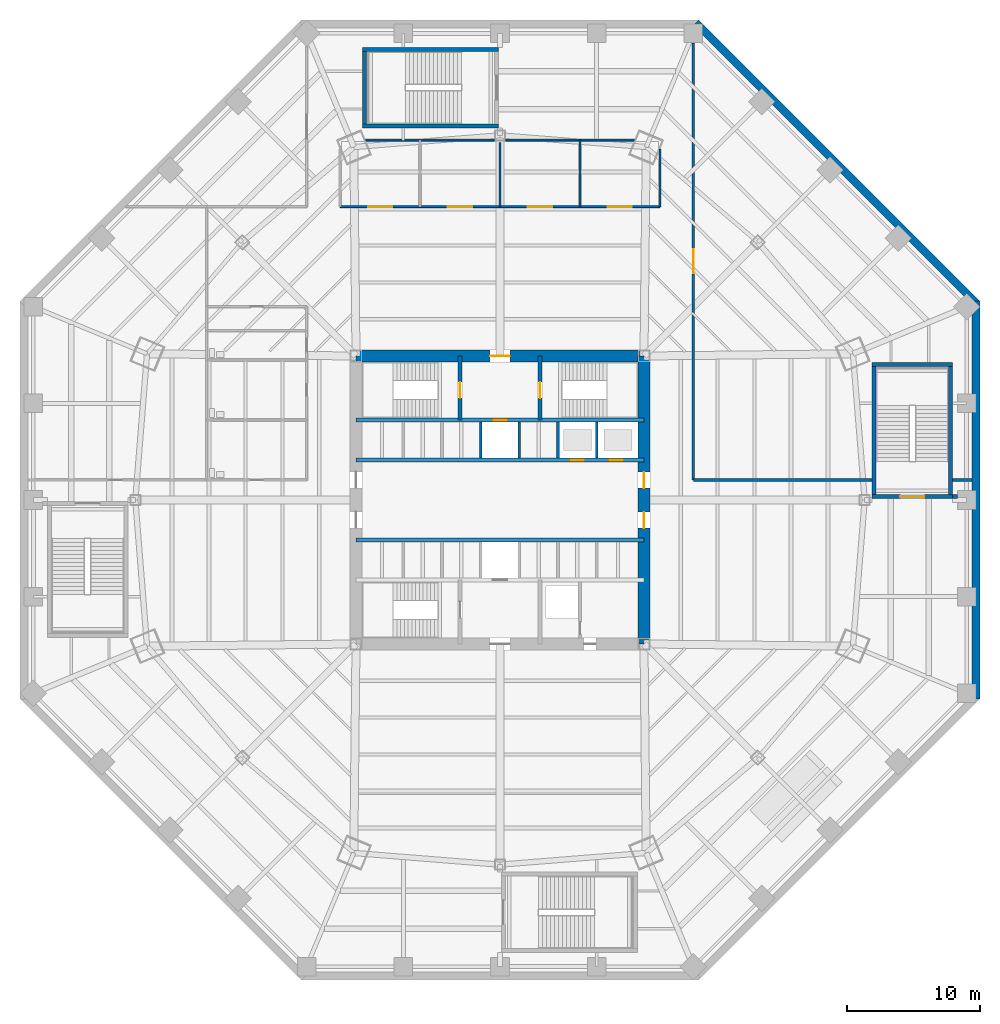
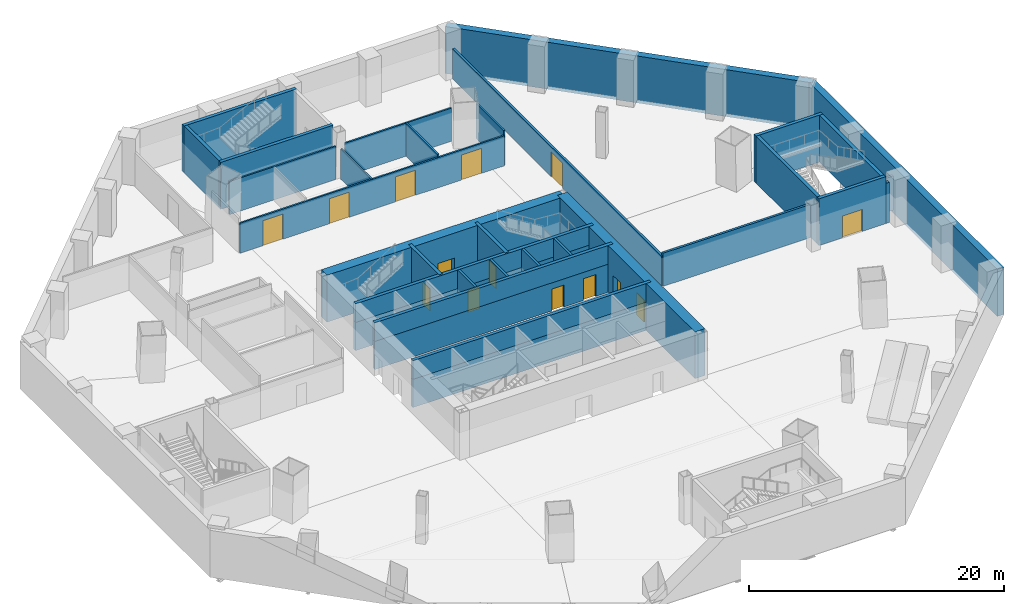
# One storey, part 9 of 15: 33 walls, 14 doors, 14 openings.
"""IFC4 building model written with IfcOpenShell, lengths in metres."""

from ifc_helpers import new_model, si_unit, direction, frame, frame_2d, origin, place, context, subcontext, project, spatial, rectangle, extrude, material, layer, layer_set, type_object, element, fill, save


model = new_model("IFC4")

# Units and contexts
model_context = context("Model", 3, precision=1e-05, world=origin(), true_north=direction((0.0, 1.0)))
body_context = subcontext(model_context, "Body", "Model", "MODEL_VIEW")
ifc_project = project(units=[si_unit("LENGTHUNIT", "METRE"), si_unit("AREAUNIT", "SQUARE_METRE"), si_unit("VOLUMEUNIT", "CUBIC_METRE"), si_unit("PLANEANGLEUNIT", "RADIAN"), si_unit("MASSUNIT", "GRAM", prefix="KILO")], contexts=[model_context])

# Site, building, storey
site_placement = place(None, origin())
site = spatial("IfcSite", under=ifc_project, at=site_placement, CompositionType="ELEMENT")
building_placement = place(site_placement, origin())
building = spatial("IfcBuilding", under=site, at=building_placement, Name="Mashrafa Tower", CompositionType="ELEMENT")
storey_placement = place(building_placement, frame((0.0, 0.0, -4.5)))
storey = spatial("IfcBuildingStorey", under=building, at=storey_placement, Name="B1", CompositionType="ELEMENT", Elevation=-4.5)

# Walls
ifc_material_1 = material(Name="Concrete C40/50", Category="concrete")
ifc_layer_1 = layer(ifc_material_1, 0.60009765625)
ifc_layer_set_1 = layer_set([ifc_layer_1], Name="Basement retaining wall 600")
wall_type_1 = type_object("IfcWallType", Name="Basement retaining wall 600", PredefinedType="SOLIDWALL", material=ifc_layer_set_1)
wall_1_placement = place(storey_placement, frame((35.699951171875, -14.91162109375, -0.300048828125), z_axis=(0.0, 0.0, 1.0), x_axis=(0.0, 1.0, 0.0)))
element("IfcWall", 1, at=wall_1_placement, inside=storey, type_object=wall_type_1, Name="Basement retaining wall B1 east", PredefinedType="SOLIDWALL", context=body_context, shape_type="SweptSolid", body=[
    extrude(rectangle(XDim=29.8232421875, YDim=0.60009765625, at=frame_2d((14.91162109375, 0.0))), origin(), (0.0, 0.0, 1.0), 4.5),
])
wall_2_placement = place(storey_placement, frame((35.787841796875, 14.699462890625, -0.300048828125), z_axis=(0.0, 0.0, 1.0), x_axis=(-0.707106781187, 0.707106781187, 0.0)))
element("IfcWall", 2, at=wall_2_placement, inside=storey, type_object=wall_type_1, Name="Basement retaining wall B1 north-east", PredefinedType="SOLIDWALL", context=body_context, shape_type="SweptSolid", body=[
    extrude(rectangle(XDim=29.823486328125, YDim=0.60009765625, at=frame_2d((14.91162109375, 0.0))), origin(), (0.0, 0.0, 1.0), 4.5),
])

# Wall, opening, door
ifc_material_2 = material(Name="Concrete masonry unit", Category="masonry")
ifc_layer_2 = layer(ifc_material_2, 0.199951171875)
ifc_layer_set_2 = layer_set([ifc_layer_2], Name="Blockwork wall 200 2 hr")
wall_type_2 = type_object("IfcWallType", Name="Blockwork wall 200 2 hr", PredefinedType="PARTITIONING", material=ifc_layer_set_2)
wall_3_placement = place(storey_placement, frame((14.5, 34.281005859375, 0.0), z_axis=(0.0, 0.0, 1.0), x_axis=(0.0, -1.0, 0.0)))
wall_3 = element("IfcWall", 3, at=wall_3_placement, inside=storey, type_object=wall_type_2, Name="Blockwork wall B1-014", PredefinedType="PARTITIONING", context=body_context, shape_type="SweptSolid", body=[
    extrude(rectangle(XDim=32.781005859375, YDim=0.199951171875, at=frame_2d((16.390625, 0.0))), origin(), (0.0, 0.0, 1.0), 2.889892578125),
])
opening_1_placement = place(wall_3_placement, frame((15.490478515625, 0.0, 0.0)))
opening_1 = element("IfcOpeningElement", 4, at=opening_1_placement, cuts=wall_3, Name="Opening B1.005", PredefinedType="OPENING", context=body_context, shape_type="SweptSolid", body=[
    extrude(rectangle(XDim=1.800048828125, YDim=2.39990234375, at=frame_2d((0.89990234375, 1.199951171875))), frame((0.0, 0.10986328125, 0.0), z_axis=(0.0, -1.0, 0.0), x_axis=(1.0, 0.0, 0.0)), (0.0, 0.0, 1.0), 0.219970703125),
])
ifc_material_3 = material(Name="Steel door", Category="steel")
door_type_1 = type_object("IfcDoorType", Name="Door pair 1800 x 2400 90 min", OperationType="DOUBLE_DOOR_SINGLE_SWING", PredefinedType="DOOR", material=ifc_material_3)
door_1_placement = place(opening_1_placement, frame((1.800048828125, 0.0, 0.0), z_axis=(0.0, 0.0, 1.0), x_axis=(-1.0, 0.0, 0.0)))
door_1 = element("IfcDoor", 5, at=door_1_placement, inside=storey, type_object=door_type_1, Name="Concourse Plant Room B1 door", OperationType="DOUBLE_DOOR_SINGLE_SWING", OverallHeight=2.39990234375, OverallWidth=1.800048828125, PredefinedType="DOOR", context=body_context, shape_type="SweptSolid", body=[
    extrude(rectangle(XDim=1.800048828125, YDim=2.39990234375, at=frame_2d((0.89990234375, 1.199951171875))), frame((0.0, 0.02490234375, 0.0), z_axis=(0.0, -1.0, 0.0), x_axis=(1.0, 0.0, 0.0)), (0.0, 0.0, 1.0), 0.050048828125),
])
fill(opening_1, door_1)

# Walls
wall_4_placement = place(storey_placement, frame((14.5, 1.5, 0.0), z_axis=(0.0, 0.0, 1.0), x_axis=(1.0, 0.0, 0.0)))
element("IfcWall", 6, at=wall_4_placement, inside=storey, type_object=wall_type_2, Name="Blockwork wall B1-015", PredefinedType="PARTITIONING", context=body_context, shape_type="SweptSolid", body=[
    extrude(rectangle(XDim=13.400390625, YDim=0.199951171875, at=frame_2d((6.7001953125, 0.0))), origin(), (0.0, 0.0, 1.0), 3.17919921875),
])
wall_5_placement = place(storey_placement, frame((33.949462890625, 1.5, 0.0), z_axis=(0.0, 0.0, 1.0), x_axis=(1.0, 0.0, 0.0)))
element("IfcWall", 7, at=wall_5_placement, inside=storey, type_object=wall_type_2, Name="Blockwork wall B1-016", PredefinedType="PARTITIONING", context=body_context, shape_type="SweptSolid", body=[
    extrude(rectangle(XDim=1.445556640625, YDim=0.199951171875, at=frame_2d((0.72265625, 0.0))), origin(), (0.0, 0.0, 1.0), 3.278076171875),
])

# Wall, openings, doors
ifc_material_4 = material(Name="Concrete C60/75", Category="concrete")
ifc_layer_3 = layer(ifc_material_4, 0.300048828125)
ifc_layer_set_3 = layer_set([ifc_layer_3], Name="Core wall 300 C60/75")
wall_type_3 = type_object("IfcWallType", Name="Core wall 300 C60/75", PredefinedType="SOLIDWALL", material=ifc_layer_set_3)
wall_6_placement = place(storey_placement, frame((-10.800048828125, 3.0, 0.0), z_axis=(0.0, 0.0, 1.0), x_axis=(1.0, 0.0, 0.0)))
wall_6 = element("IfcWall", 8, at=wall_6_placement, inside=storey, type_object=wall_type_3, Name="Core wall CH-N B1", PredefinedType="SOLIDWALL", context=body_context, shape_type="SweptSolid", body=[
    extrude(rectangle(XDim=21.60009765625, YDim=0.300048828125, at=frame_2d((10.800048828125, 0.0))), origin(), (0.0, 0.0, 1.0), 2.699951171875),
])
opening_2_placement = place(wall_6_placement, frame((16.050048828125, 0.0, 0.0)))
opening_2 = element("IfcOpeningElement", 9, at=opening_2_placement, cuts=wall_6, Name="Opening B1.K1", PredefinedType="OPENING", context=body_context, shape_type="SweptSolid", body=[
    extrude(rectangle(XDim=1.10009765625, YDim=2.10009765625, at=frame_2d((0.550048828125, 1.050048828125))), frame((0.0, 0.159912109375, 0.0), z_axis=(0.0, -1.0, 0.0), x_axis=(1.0, 0.0, 0.0)), (0.0, 0.0, 1.0), 0.320068359375),
])
opening_3_placement = place(wall_6_placement, frame((18.949951171875, 0.0, 0.0)))
opening_3 = element("IfcOpeningElement", 10, at=opening_3_placement, cuts=wall_6, Name="Opening B1.K2", PredefinedType="OPENING", context=body_context, shape_type="SweptSolid", body=[
    extrude(rectangle(XDim=1.10009765625, YDim=2.10009765625, at=frame_2d((0.550048828125, 1.050048828125))), frame((0.0, 0.159912109375, 0.0), z_axis=(0.0, -1.0, 0.0), x_axis=(1.0, 0.0, 0.0)), (0.0, 0.0, 1.0), 0.320068359375),
])
ifc_material_5 = material(Name="Steel door", Category="steel")
door_type_2 = type_object("IfcDoorType", Name="Lift landing door 1100 x 2100 90 min", OperationType="DOUBLE_DOOR_SLIDING", PredefinedType="DOOR", material=ifc_material_5)
door_2_placement = place(opening_2_placement, origin())
door_2 = element("IfcDoor", 11, at=door_2_placement, inside=storey, type_object=door_type_2, Name="Lift landing door K1 B1", OperationType="DOUBLE_DOOR_SLIDING", OverallHeight=2.10009765625, OverallWidth=1.10009765625, PredefinedType="DOOR", context=body_context, shape_type="SweptSolid", body=[
    extrude(rectangle(XDim=1.10009765625, YDim=2.10009765625, at=frame_2d((0.550048828125, 1.050048828125))), frame((0.0, 0.02490234375, 0.0), z_axis=(0.0, -1.0, 0.0), x_axis=(1.0, 0.0, 0.0)), (0.0, 0.0, 1.0), 0.050048828125),
])
fill(opening_2, door_2)
door_3_placement = place(opening_3_placement, origin())
door_3 = element("IfcDoor", 12, at=door_3_placement, inside=storey, type_object=door_type_2, Name="Lift landing door K2 B1", OperationType="DOUBLE_DOOR_SLIDING", OverallHeight=2.10009765625, OverallWidth=1.10009765625, PredefinedType="DOOR", context=body_context, shape_type="SweptSolid", body=[
    extrude(rectangle(XDim=1.10009765625, YDim=2.10009765625, at=frame_2d((0.550048828125, 1.050048828125))), frame((0.0, 0.02490234375, 0.0), z_axis=(0.0, -1.0, 0.0), x_axis=(1.0, 0.0, 0.0)), (0.0, 0.0, 1.0), 0.050048828125),
])
fill(opening_3, door_3)

# Wall
wall_7_placement = place(storey_placement, frame((-10.800048828125, 3.0, 2.699951171875), z_axis=(0.0, 0.0, 1.0), x_axis=(1.0, 0.0, 0.0)))
element("IfcWall", 13, at=wall_7_placement, inside=storey, type_object=wall_type_3, Name="Core wall CH-N B1 above pit floor", PredefinedType="SOLIDWALL", context=body_context, shape_type="SweptSolid", body=[
    extrude(rectangle(XDim=21.60009765625, YDim=0.300048828125, at=frame_2d((10.800048828125, 0.0))), origin(), (0.0, 0.0, 1.0), 1.800048828125),
])

# Wall, opening, door
wall_8_placement = place(storey_placement, frame((-10.800048828125, 6.0, 0.0), z_axis=(0.0, 0.0, 1.0), x_axis=(1.0, 0.0, 0.0)))
wall_8 = element("IfcWall", 14, at=wall_8_placement, inside=storey, type_object=wall_type_3, Name="Core wall CB-N B1", PredefinedType="SOLIDWALL", context=body_context, shape_type="SweptSolid", body=[
    extrude(rectangle(XDim=21.60009765625, YDim=0.300048828125, at=frame_2d((10.800048828125, 0.0))), origin(), (0.0, 0.0, 1.0), 2.699951171875),
])
opening_4_placement = place(wall_8_placement, frame((10.25, 0.0, 0.0)))
opening_4 = element("IfcOpeningElement", 15, at=opening_4_placement, cuts=wall_8, Name="Opening B1.F1", PredefinedType="OPENING", context=body_context, shape_type="SweptSolid", body=[
    extrude(rectangle(XDim=1.10009765625, YDim=2.10009765625, at=frame_2d((0.550048828125, 1.050048828125))), frame((0.0, 0.159912109375, 0.0), z_axis=(0.0, -1.0, 0.0), x_axis=(1.0, 0.0, 0.0)), (0.0, 0.0, 1.0), 0.320068359375),
])
door_4_placement = place(opening_4_placement, origin())
door_4 = element("IfcDoor", 16, at=door_4_placement, inside=storey, type_object=door_type_2, Name="Lift landing door F1 B1", OperationType="DOUBLE_DOOR_SLIDING", OverallHeight=2.10009765625, OverallWidth=1.10009765625, PredefinedType="DOOR", context=body_context, shape_type="SweptSolid", body=[
    extrude(rectangle(XDim=1.10009765625, YDim=2.10009765625, at=frame_2d((0.550048828125, 1.050048828125))), frame((0.0, 0.02490234375, 0.0), z_axis=(0.0, -1.0, 0.0), x_axis=(1.0, 0.0, 0.0)), (0.0, 0.0, 1.0), 0.050048828125),
])
fill(opening_4, door_4)

# Wall
wall_9_placement = place(storey_placement, frame((-10.800048828125, 6.0, 2.699951171875), z_axis=(0.0, 0.0, 1.0), x_axis=(1.0, 0.0, 0.0)))
element("IfcWall", 17, at=wall_9_placement, inside=storey, type_object=wall_type_3, Name="Core wall CB-N B1 above pit floor", PredefinedType="SOLIDWALL", context=body_context, shape_type="SweptSolid", body=[
    extrude(rectangle(XDim=21.60009765625, YDim=0.300048828125, at=frame_2d((10.800048828125, 0.0))), origin(), (0.0, 0.0, 1.0), 1.800048828125),
])

# Wall, opening, door
wall_10_placement = place(storey_placement, frame((-3.0, 6.0, 0.0), z_axis=(0.0, 0.0, 1.0), x_axis=(0.0, 1.0, 0.0)))
wall_10 = element("IfcWall", 18, at=wall_10_placement, inside=storey, type_object=wall_type_3, Name="Core wall CX-NW B1", PredefinedType="SOLIDWALL", context=body_context, shape_type="SweptSolid", body=[
    extrude(rectangle(XDim=4.800048828125, YDim=0.300048828125, at=frame_2d((2.39990234375, 0.0))), origin(), (0.0, 0.0, 1.0), 4.5),
])
opening_5_placement = place(wall_10_placement, frame((1.64990234375, 0.0, 0.0)))
opening_5 = element("IfcOpeningElement", 19, at=opening_5_placement, cuts=wall_10, Name="Opening B1.018", PredefinedType="OPENING", context=body_context, shape_type="SweptSolid", body=[
    extrude(rectangle(XDim=1.199951171875, YDim=2.10009765625, at=frame_2d((0.60009765625, 1.050048828125))), frame((0.0, 0.159912109375, 0.0), z_axis=(0.0, -1.0, 0.0), x_axis=(1.0, 0.0, 0.0)), (0.0, 0.0, 1.0), 0.320068359375),
])
ifc_material_6 = material(Name="Steel door", Category="steel")
door_type_3 = type_object("IfcDoorType", Name="Stair door 1200 x 2100 90 min", OperationType="USERDEFINED", PredefinedType="DOOR", material=ifc_material_6)
door_5_placement = place(opening_5_placement, origin())
door_5 = element("IfcDoor", 20, at=door_5_placement, inside=storey, type_object=door_type_3, Name="Stair S1 door B1", OperationType="SINGLE_SWING_LEFT", OverallHeight=2.10009765625, OverallWidth=1.199951171875, PredefinedType="DOOR", context=body_context, shape_type="SweptSolid", body=[
    extrude(rectangle(XDim=1.199951171875, YDim=2.10009765625, at=frame_2d((0.60009765625, 1.050048828125))), frame((0.0, 0.02490234375, 0.0), z_axis=(0.0, -1.0, 0.0), x_axis=(1.0, 0.0, 0.0)), (0.0, 0.0, 1.0), 0.050048828125),
])
fill(opening_5, door_5)

wall_11_placement = place(storey_placement, frame((3.0, 6.0, 0.0), z_axis=(0.0, 0.0, 1.0), x_axis=(0.0, 1.0, 0.0)))
wall_11 = element("IfcWall", 21, at=wall_11_placement, inside=storey, type_object=wall_type_3, Name="Core wall CX-NE B1", PredefinedType="SOLIDWALL", context=body_context, shape_type="SweptSolid", body=[
    extrude(rectangle(XDim=4.800048828125, YDim=0.300048828125, at=frame_2d((2.39990234375, 0.0))), origin(), (0.0, 0.0, 1.0), 4.5),
])
opening_6_placement = place(wall_11_placement, frame((1.64990234375, 0.0, 0.0)))
opening_6 = element("IfcOpeningElement", 22, at=opening_6_placement, cuts=wall_11, Name="Opening B1.019", PredefinedType="OPENING", context=body_context, shape_type="SweptSolid", body=[
    extrude(rectangle(XDim=1.199951171875, YDim=2.10009765625, at=frame_2d((0.60009765625, 1.050048828125))), frame((0.0, 0.159912109375, 0.0), z_axis=(0.0, -1.0, 0.0), x_axis=(1.0, 0.0, 0.0)), (0.0, 0.0, 1.0), 0.320068359375),
])
door_6_placement = place(opening_6_placement, frame((1.199951171875, 0.0, 0.0), z_axis=(0.0, 0.0, 1.0), x_axis=(-1.0, 0.0, 0.0)))
door_6 = element("IfcDoor", 23, at=door_6_placement, inside=storey, type_object=door_type_3, Name="Stair S2 door B1", OperationType="SINGLE_SWING_RIGHT", OverallHeight=2.10009765625, OverallWidth=1.199951171875, PredefinedType="DOOR", context=body_context, shape_type="SweptSolid", body=[
    extrude(rectangle(XDim=1.199951171875, YDim=2.10009765625, at=frame_2d((0.60009765625, 1.050048828125))), frame((0.0, 0.02490234375, 0.0), z_axis=(0.0, -1.0, 0.0), x_axis=(1.0, 0.0, 0.0)), (0.0, 0.0, 1.0), 0.050048828125),
])
fill(opening_6, door_6)

# Walls
wall_12_placement = place(storey_placement, frame((-10.800048828125, -3.0, 0.0), z_axis=(0.0, 0.0, 1.0), x_axis=(1.0, 0.0, 0.0)))
element("IfcWall", 24, at=wall_12_placement, inside=storey, type_object=wall_type_3, Name="Core wall CH-S B1", PredefinedType="SOLIDWALL", context=body_context, shape_type="SweptSolid", body=[
    extrude(rectangle(XDim=21.60009765625, YDim=0.300048828125, at=frame_2d((10.800048828125, 0.0))), origin(), (0.0, 0.0, 1.0), 2.699951171875),
])
wall_13_placement = place(storey_placement, frame((-10.800048828125, -3.0, 2.699951171875), z_axis=(0.0, 0.0, 1.0), x_axis=(1.0, 0.0, 0.0)))
element("IfcWall", 25, at=wall_13_placement, inside=storey, type_object=wall_type_3, Name="Core wall CH-S B1 above pit floor", PredefinedType="SOLIDWALL", context=body_context, shape_type="SweptSolid", body=[
    extrude(rectangle(XDim=21.60009765625, YDim=0.300048828125, at=frame_2d((10.800048828125, 0.0))), origin(), (0.0, 0.0, 1.0), 1.800048828125),
])

# Wall, openings, doors
ifc_material_7 = material(Name="Concrete C60/75", Category="concrete")
ifc_layer_4 = layer(ifc_material_7, 0.89990234375)
ifc_layer_set_4 = layer_set([ifc_layer_4], Name="Core wall 900 C60/75")
wall_type_4 = type_object("IfcWallType", Name="Core wall 900 C60/75", PredefinedType="SOLIDWALL", material=ifc_layer_set_4)
wall_14_placement = place(storey_placement, frame((10.800048828125, -10.800048828125, 0.0), z_axis=(0.0, 0.0, 1.0), x_axis=(0.0, 1.0, 0.0)))
wall_14 = element("IfcWall", 26, at=wall_14_placement, inside=storey, type_object=wall_type_4, Name="Core wall CW-E B1", PredefinedType="SOLIDWALL", context=body_context, shape_type="SweptSolid", body=[
    extrude(rectangle(XDim=21.60009765625, YDim=0.89990234375, at=frame_2d((10.800048828125, 0.0))), origin(), (0.0, 0.0, 1.0), 4.5),
])
opening_7_placement = place(wall_14_placement, frame((11.699951171875, 0.0, 0.0)))
opening_7 = element("IfcOpeningElement", 27, at=opening_7_placement, cuts=wall_14, Name="Opening B1.012", PredefinedType="OPENING", context=body_context, shape_type="SweptSolid", body=[
    extrude(rectangle(XDim=1.199951171875, YDim=2.10009765625, at=frame_2d((0.60009765625, 1.050048828125))), frame((0.0, 0.4599609375, 0.0), z_axis=(0.0, -1.0, 0.0), x_axis=(1.0, 0.0, 0.0)), (0.0, 0.0, 1.0), 0.919921875),
])
opening_8_placement = place(wall_14_placement, frame((8.699951171875, 0.0, 0.0)))
opening_8 = element("IfcOpeningElement", 28, at=opening_8_placement, cuts=wall_14, Name="Opening B1.014", PredefinedType="OPENING", context=body_context, shape_type="SweptSolid", body=[
    extrude(rectangle(XDim=1.199951171875, YDim=2.10009765625, at=frame_2d((0.60009765625, 1.050048828125))), frame((0.0, 0.4599609375, 0.0), z_axis=(0.0, -1.0, 0.0), x_axis=(1.0, 0.0, 0.0)), (0.0, 0.0, 1.0), 0.919921875),
])
ifc_material_8 = material(Name="Steel door", Category="steel")
door_type_4 = type_object("IfcDoorType", Name="Lift hall door 1200 x 2100 90 min", OperationType="USERDEFINED", PredefinedType="DOOR", material=ifc_material_8)
door_7_placement = place(opening_7_placement, frame((1.199951171875, 0.0, 0.0), z_axis=(0.0, 0.0, 1.0), x_axis=(-1.0, 0.0, 0.0)))
door_7 = element("IfcDoor", 29, at=door_7_placement, inside=storey, type_object=door_type_4, Name="Lift hall door east B1", OperationType="SINGLE_SWING_RIGHT", OverallHeight=2.10009765625, OverallWidth=1.199951171875, PredefinedType="DOOR", context=body_context, shape_type="SweptSolid", body=[
    extrude(rectangle(XDim=1.199951171875, YDim=2.10009765625, at=frame_2d((0.60009765625, 1.050048828125))), frame((0.0, 0.02490234375, 0.0), z_axis=(0.0, -1.0, 0.0), x_axis=(1.0, 0.0, 0.0)), (0.0, 0.0, 1.0), 0.050048828125),
])
fill(opening_7, door_7)
door_8_placement = place(opening_8_placement, frame((1.199951171875, 0.0, 0.0), z_axis=(0.0, 0.0, 1.0), x_axis=(-1.0, 0.0, 0.0)))
door_8 = element("IfcDoor", 30, at=door_8_placement, inside=storey, type_object=door_type_4, Name="Lift hall door east B1", OperationType="SINGLE_SWING_RIGHT", OverallHeight=2.10009765625, OverallWidth=1.199951171875, PredefinedType="DOOR", context=body_context, shape_type="SweptSolid", body=[
    extrude(rectangle(XDim=1.199951171875, YDim=2.10009765625, at=frame_2d((0.60009765625, 1.050048828125))), frame((0.0, 0.02490234375, 0.0), z_axis=(0.0, -1.0, 0.0), x_axis=(1.0, 0.0, 0.0)), (0.0, 0.0, 1.0), 0.050048828125),
])
fill(opening_8, door_8)

# Wall, opening, door
wall_15_placement = place(storey_placement, frame((10.800048828125, 10.800048828125, 0.0), z_axis=(0.0, 0.0, 1.0), x_axis=(-1.0, 0.0, 0.0)))
wall_15 = element("IfcWall", 31, at=wall_15_placement, inside=storey, type_object=wall_type_4, Name="Core wall CW-N B1", PredefinedType="SOLIDWALL", context=body_context, shape_type="SweptSolid", body=[
    extrude(rectangle(XDim=21.60009765625, YDim=0.89990234375, at=frame_2d((10.800048828125, 0.0))), origin(), (0.0, 0.0, 1.0), 4.5),
])
opening_9_placement = place(wall_15_placement, frame((10.050048828125, 0.0, 0.0)))
opening_9 = element("IfcOpeningElement", 32, at=opening_9_placement, cuts=wall_15, Name="Opening B1.016", PredefinedType="OPENING", context=body_context, shape_type="SweptSolid", body=[
    extrude(rectangle(XDim=1.5, YDim=2.10009765625, at=frame_2d((0.75, 1.050048828125))), frame((0.0, 0.4599609375, 0.0), z_axis=(0.0, -1.0, 0.0), x_axis=(1.0, 0.0, 0.0)), (0.0, 0.0, 1.0), 0.919921875),
])
ifc_material_9 = material(Name="Steel door", Category="steel")
door_type_5 = type_object("IfcDoorType", Name="Lobby door pair 1500 x 2100 90 min", OperationType="DOUBLE_DOOR_SINGLE_SWING", PredefinedType="DOOR", material=ifc_material_9)
door_9_placement = place(opening_9_placement, frame((1.5, 0.0, 0.0), z_axis=(0.0, 0.0, 1.0), x_axis=(-1.0, 0.0, 0.0)))
door_9 = element("IfcDoor", 33, at=door_9_placement, inside=storey, type_object=door_type_5, Name="Fire-fighting lobby F1 door B1", OperationType="DOUBLE_DOOR_SINGLE_SWING", OverallHeight=2.10009765625, OverallWidth=1.5, PredefinedType="DOOR", context=body_context, shape_type="SweptSolid", body=[
    extrude(rectangle(XDim=1.5, YDim=2.10009765625, at=frame_2d((0.75, 1.050048828125))), frame((0.0, 0.02490234375, 0.0), z_axis=(0.0, -1.0, 0.0), x_axis=(1.0, 0.0, 0.0)), (0.0, 0.0, 1.0), 0.050048828125),
])
fill(opening_9, door_9)

# Wall
ifc_material_10 = material(Name="Gypsum board on steel studs", Category="steel")
ifc_layer_5 = layer(ifc_material_10, 0.14990234375)
ifc_layer_set_5 = layer_set([ifc_layer_5], Name="Corridor partition 150 1 hr")
wall_type_5 = type_object("IfcWallType", Name="Corridor partition 150 1 hr", PredefinedType="PARTITIONING", material=ifc_layer_set_5)
wall_16_placement = place(storey_placement, frame((-10.080810546875, 27.0, 0.0), z_axis=(0.0, 0.0, 1.0), x_axis=(1.0, 0.0, 0.0)))
element("IfcWall", 34, at=wall_16_placement, inside=storey, type_object=wall_type_5, Name="Corridor wall B1-023", PredefinedType="PARTITIONING", context=body_context, shape_type="SweptSolid", body=[
    extrude(rectangle(XDim=9.661865234375, YDim=0.14990234375, at=frame_2d((4.8310546875, 0.0))), origin(), (0.0, 0.0, 1.0), 3.17919921875),
])

# Wall, openings, doors
wall_17_placement = place(storey_placement, frame((-12.0, 22.0, 0.0), z_axis=(0.0, 0.0, 1.0), x_axis=(1.0, 0.0, 0.0)))
wall_17 = element("IfcWall", 35, at=wall_17_placement, inside=storey, type_object=wall_type_5, Name="Corridor wall B1-025", PredefinedType="PARTITIONING", context=body_context, shape_type="SweptSolid", body=[
    extrude(rectangle(XDim=24.0, YDim=0.14990234375, at=frame_2d((12.0, 0.0))), origin(), (0.0, 0.0, 1.0), 2.889892578125),
])
opening_10_placement = place(wall_17_placement, frame((2.10009765625, 0.0, 0.0)))
opening_10 = element("IfcOpeningElement", 36, at=opening_10_placement, cuts=wall_17, Name="Opening B1.008", PredefinedType="OPENING", context=body_context, shape_type="SweptSolid", body=[
    extrude(rectangle(XDim=1.800048828125, YDim=2.39990234375, at=frame_2d((0.89990234375, 1.199951171875))), frame((0.0, 0.0849609375, 0.0), z_axis=(0.0, -1.0, 0.0), x_axis=(1.0, 0.0, 0.0)), (0.0, 0.0, 1.0), 0.169921875),
])
opening_11_placement = place(wall_17_placement, frame((8.10009765625, 0.0, 0.0)))
opening_11 = element("IfcOpeningElement", 37, at=opening_11_placement, cuts=wall_17, Name="Opening B1.009", PredefinedType="OPENING", context=body_context, shape_type="SweptSolid", body=[
    extrude(rectangle(XDim=1.800048828125, YDim=2.39990234375, at=frame_2d((0.89990234375, 1.199951171875))), frame((0.0, 0.0849609375, 0.0), z_axis=(0.0, -1.0, 0.0), x_axis=(1.0, 0.0, 0.0)), (0.0, 0.0, 1.0), 0.169921875),
])
opening_12_placement = place(wall_17_placement, frame((14.10009765625, 0.0, 0.0)))
opening_12 = element("IfcOpeningElement", 38, at=opening_12_placement, cuts=wall_17, Name="Opening B1.010", PredefinedType="OPENING", context=body_context, shape_type="SweptSolid", body=[
    extrude(rectangle(XDim=1.800048828125, YDim=2.39990234375, at=frame_2d((0.89990234375, 1.199951171875))), frame((0.0, 0.0849609375, 0.0), z_axis=(0.0, -1.0, 0.0), x_axis=(1.0, 0.0, 0.0)), (0.0, 0.0, 1.0), 0.169921875),
])
opening_13_placement = place(wall_17_placement, frame((20.10009765625, 0.0, 0.0)))
opening_13 = element("IfcOpeningElement", 39, at=opening_13_placement, cuts=wall_17, Name="Opening B1.011", PredefinedType="OPENING", context=body_context, shape_type="SweptSolid", body=[
    extrude(rectangle(XDim=1.800048828125, YDim=2.39990234375, at=frame_2d((0.89990234375, 1.199951171875))), frame((0.0, 0.0849609375, 0.0), z_axis=(0.0, -1.0, 0.0), x_axis=(1.0, 0.0, 0.0)), (0.0, 0.0, 1.0), 0.169921875),
])
ifc_material_11 = material(Name="Timber door", Category="wood")
door_type_6 = type_object("IfcDoorType", Name="Door pair 1800 x 2400", OperationType="DOUBLE_DOOR_SINGLE_SWING", PredefinedType="DOOR", material=ifc_material_11)
door_10_placement = place(opening_10_placement, origin())
door_10 = element("IfcDoor", 40, at=door_10_placement, inside=storey, type_object=door_type_6, Name="Retail Kiosk B1-01 door", OperationType="DOUBLE_DOOR_SINGLE_SWING", OverallHeight=2.39990234375, OverallWidth=1.800048828125, PredefinedType="DOOR", context=body_context, shape_type="SweptSolid", body=[
    extrude(rectangle(XDim=1.800048828125, YDim=2.39990234375, at=frame_2d((0.89990234375, 1.199951171875))), frame((0.0, 0.02490234375, 0.0), z_axis=(0.0, -1.0, 0.0), x_axis=(1.0, 0.0, 0.0)), (0.0, 0.0, 1.0), 0.050048828125),
])
fill(opening_10, door_10)
door_11_placement = place(opening_11_placement, origin())
door_11 = element("IfcDoor", 41, at=door_11_placement, inside=storey, type_object=door_type_6, Name="Retail Kiosk B1-02 door", OperationType="DOUBLE_DOOR_SINGLE_SWING", OverallHeight=2.39990234375, OverallWidth=1.800048828125, PredefinedType="DOOR", context=body_context, shape_type="SweptSolid", body=[
    extrude(rectangle(XDim=1.800048828125, YDim=2.39990234375, at=frame_2d((0.89990234375, 1.199951171875))), frame((0.0, 0.02490234375, 0.0), z_axis=(0.0, -1.0, 0.0), x_axis=(1.0, 0.0, 0.0)), (0.0, 0.0, 1.0), 0.050048828125),
])
fill(opening_11, door_11)
door_12_placement = place(opening_12_placement, origin())
door_12 = element("IfcDoor", 42, at=door_12_placement, inside=storey, type_object=door_type_6, Name="Retail Kiosk B1-03 door", OperationType="DOUBLE_DOOR_SINGLE_SWING", OverallHeight=2.39990234375, OverallWidth=1.800048828125, PredefinedType="DOOR", context=body_context, shape_type="SweptSolid", body=[
    extrude(rectangle(XDim=1.800048828125, YDim=2.39990234375, at=frame_2d((0.89990234375, 1.199951171875))), frame((0.0, 0.02490234375, 0.0), z_axis=(0.0, -1.0, 0.0), x_axis=(1.0, 0.0, 0.0)), (0.0, 0.0, 1.0), 0.050048828125),
])
fill(opening_12, door_12)
door_13_placement = place(opening_13_placement, origin())
door_13 = element("IfcDoor", 43, at=door_13_placement, inside=storey, type_object=door_type_6, Name="Retail Kiosk B1-04 door", OperationType="DOUBLE_DOOR_SINGLE_SWING", OverallHeight=2.39990234375, OverallWidth=1.800048828125, PredefinedType="DOOR", context=body_context, shape_type="SweptSolid", body=[
    extrude(rectangle(XDim=1.800048828125, YDim=2.39990234375, at=frame_2d((0.89990234375, 1.199951171875))), frame((0.0, 0.02490234375, 0.0), z_axis=(0.0, -1.0, 0.0), x_axis=(1.0, 0.0, 0.0)), (0.0, 0.0, 1.0), 0.050048828125),
])
fill(opening_13, door_13)

# Walls
wall_18_placement = place(storey_placement, frame((0.4189453125, 27.0, 0.0), z_axis=(0.0, 0.0, 1.0), x_axis=(1.0, 0.0, 0.0)))
element("IfcWall", 44, at=wall_18_placement, inside=storey, type_object=wall_type_5, Name="Corridor wall B1-031", PredefinedType="PARTITIONING", context=body_context, shape_type="SweptSolid", body=[
    extrude(rectangle(XDim=9.661865234375, YDim=0.14990234375, at=frame_2d((4.8310546875, 0.0))), origin(), (0.0, 0.0, 1.0), 3.17919921875),
])
wall_19_placement = place(storey_placement, frame((12.0, 22.0, 0.0), z_axis=(0.0, 0.0, 1.0), x_axis=(0.0, 1.0, 0.0)))
element("IfcWall", 45, at=wall_19_placement, inside=storey, type_object=wall_type_5, Name="Corridor wall B1-033", PredefinedType="PARTITIONING", context=body_context, shape_type="SweptSolid", body=[
    extrude(rectangle(XDim=4.307861328125, YDim=0.14990234375, at=frame_2d((2.15380859375, 0.0))), origin(), (0.0, 0.0, 1.0), 3.349365234375),
])
ifc_material_12 = material(Name="Gypsum board on steel studs", Category="steel")
ifc_layer_6 = layer(ifc_material_12, 0.14990234375)
ifc_layer_set_6 = layer_set([ifc_layer_6], Name="Partition 150")
wall_type_6 = type_object("IfcWallType", Name="Partition 150", PredefinedType="PARTITIONING", material=ifc_layer_set_6)
wall_20_placement = place(storey_placement, frame((0.0, 22.0, 0.0), z_axis=(0.0, 0.0, 1.0), x_axis=(0.0, 1.0, 0.0)))
element("IfcWall", 46, at=wall_20_placement, inside=storey, type_object=wall_type_6, Name="Partition wall B1-026", PredefinedType="PARTITIONING", context=body_context, shape_type="SweptSolid", body=[
    extrude(rectangle(XDim=4.79541015625, YDim=0.14990234375, at=frame_2d((2.397705078125, 0.0))), origin(), (0.0, 0.0, 1.0), 2.889892578125),
])
wall_21_placement = place(storey_placement, frame((6.0, 22.0, 0.0), z_axis=(0.0, 0.0, 1.0), x_axis=(0.0, 1.0, 0.0)))
element("IfcWall", 47, at=wall_21_placement, inside=storey, type_object=wall_type_6, Name="Partition wall B1-029", PredefinedType="PARTITIONING", context=body_context, shape_type="SweptSolid", body=[
    extrude(rectangle(XDim=5.0, YDim=0.14990234375, at=frame_2d((2.5, 0.0))), origin(), (0.0, 0.0, 1.0), 3.17919921875),
])
ifc_material_13 = material(Name="Gypsum shaft wall on steel studs", Category="steel")
ifc_layer_7 = layer(ifc_material_13, 0.199951171875)
ifc_layer_set_7 = layer_set([ifc_layer_7], Name="Shaft divider wall 200 2 hr")
wall_type_7 = type_object("IfcWallType", Name="Shaft divider wall 200 2 hr", PredefinedType="PARTITIONING", material=ifc_layer_set_7)
for number, where, z_axis, x_axis, name in (
    (48, (-1.449951171875, 3.14990234375, 0.0), (0.0, 0.0, 1.0), (0.0, 1.0, 0.0), "Shaft divider wall N3 B1"),
    (49, (1.449951171875, 3.14990234375, 0.0), (0.0, 0.0, 1.0), (0.0, 1.0, 0.0), "Shaft divider wall N4 B1"),
    (50, (4.35009765625, 3.14990234375, 0.0), (0.0, 0.0, 1.0), (0.0, 1.0, 0.0), "Shaft divider wall N5 B1"),
    (51, (7.25, 3.14990234375, 0.0), (0.0, 0.0, 1.0), (0.0, 1.0, 0.0), "Shaft divider wall N6 B1"),
):
    element("IfcWall", number, at=place(storey_placement, frame(where, z_axis=z_axis, x_axis=x_axis)), inside=storey, type_object=wall_type_7, Name=name, PredefinedType="PARTITIONING", context=body_context, shape_type="SweptSolid", body=[
        extrude(rectangle(XDim=2.7001953125, YDim=0.199951171875, at=frame_2d((1.35009765625, 0.0))), origin(), (0.0, 0.0, 1.0), 4.5),
    ])

# Wall, opening, door
ifc_material_14 = material(Name="Concrete C35/45", Category="concrete")
ifc_layer_8 = layer(ifc_material_14, 0.300048828125)
ifc_layer_set_8 = layer_set([ifc_layer_8], Name="Stair core wall 300 3 hr")
wall_type_8 = type_object("IfcWallType", Name="Stair core wall 300 3 hr", PredefinedType="SOLIDWALL", material=ifc_layer_set_8)
wall_22_placement = place(storey_placement, frame((27.89990234375, 0.25, 0.0), z_axis=(0.0, 0.0, 1.0), x_axis=(1.0, 0.0, 0.0)))
wall_22 = element("IfcWall", 52, at=wall_22_placement, inside=storey, type_object=wall_type_8, Name="Stair P1 core wall S B1", PredefinedType="SOLIDWALL", context=body_context, shape_type="SweptSolid", body=[
    extrude(rectangle(XDim=6.050048828125, YDim=0.300048828125, at=frame_2d((3.02490234375, 0.0))), origin(), (0.0, 0.0, 1.0), 4.5),
])
opening_14_placement = place(wall_22_placement, frame((2.125, 0.0, 0.0)))
opening_14 = element("IfcOpeningElement", 53, at=opening_14_placement, cuts=wall_22, Name="Opening B1.023", PredefinedType="OPENING", context=body_context, shape_type="SweptSolid", body=[
    extrude(rectangle(XDim=1.800048828125, YDim=2.10009765625, at=frame_2d((0.89990234375, 1.050048828125))), frame((0.0, 0.159912109375, 0.0), z_axis=(0.0, -1.0, 0.0), x_axis=(1.0, 0.0, 0.0)), (0.0, 0.0, 1.0), 0.320068359375),
])
ifc_material_15 = material(Name="Steel door", Category="steel")
door_type_7 = type_object("IfcDoorType", Name="Stair door pair 1800 x 2100 90 min", OperationType="DOUBLE_DOOR_SINGLE_SWING", PredefinedType="DOOR", material=ifc_material_15)
door_14_placement = place(opening_14_placement, origin())
door_14 = element("IfcDoor", 54, at=door_14_placement, inside=storey, type_object=door_type_7, Name="Stair P1 door B1", OperationType="DOUBLE_DOOR_SINGLE_SWING", OverallHeight=2.10009765625, OverallWidth=1.800048828125, PredefinedType="DOOR", context=body_context, shape_type="SweptSolid", body=[
    extrude(rectangle(XDim=1.800048828125, YDim=2.10009765625, at=frame_2d((0.89990234375, 1.050048828125))), frame((0.0, 0.02490234375, 0.0), z_axis=(0.0, -1.0, 0.0), x_axis=(1.0, 0.0, 0.0)), (0.0, 0.0, 1.0), 0.050048828125),
])
fill(opening_14, door_14)

# Walls
wall_23_placement = place(storey_placement, frame((33.949951171875, 0.25, 0.0), z_axis=(0.0, 0.0, 1.0), x_axis=(1.0, 0.0, 0.0)))
element("IfcWall", 55, at=wall_23_placement, inside=storey, type_object=wall_type_8, Name="Stair P1 core wall S B1 end piece 2", PredefinedType="SOLIDWALL", context=body_context, shape_type="SweptSolid", body=[
    extrude(rectangle(XDim=0.35009765625, YDim=0.300048828125, at=frame_2d((0.175048828125, 0.0))), origin(), (0.0, 0.0, 1.0), 3.844482421875),
])
wall_24_placement = place(storey_placement, frame((33.949951171875, 10.14990234375, 0.0), z_axis=(0.0, 0.0, 1.0), x_axis=(-1.0, 0.0, 0.0)))
element("IfcWall", 56, at=wall_24_placement, inside=storey, type_object=wall_type_8, Name="Stair P1 core wall N B1", PredefinedType="SOLIDWALL", context=body_context, shape_type="SweptSolid", body=[
    extrude(rectangle(XDim=6.050048828125, YDim=0.300048828125, at=frame_2d((3.02490234375, 0.0))), origin(), (0.0, 0.0, 1.0), 4.5),
])
for number, where, z_axis, x_axis, name in (
    (57, (28.050048828125, 10.0, 0.0), (0.0, 0.0, 1.0), (0.0, -1.0, 0.0), "Stair P1 core wall W B1"),
    (58, (33.800048828125, 0.39990234375, 0.0), (0.0, 0.0, 1.0), (0.0, 1.0, 0.0), "Stair P1 core wall E B1"),
):
    element("IfcWall", number, at=place(storey_placement, frame(where, z_axis=z_axis, x_axis=x_axis)), inside=storey, type_object=wall_type_8, Name=name, PredefinedType="SOLIDWALL", context=body_context, shape_type="SweptSolid", body=[
        extrude(rectangle(XDim=9.60009765625, YDim=0.300048828125, at=frame_2d((4.800048828125, 0.0))), origin(), (0.0, 0.0, 1.0), 4.5),
    ])
for number, where, z_axis, x_axis, name in (
    (59, (-10.300048828125, 28.050048828125, 0.0), (0.0, 0.0, 1.0), (1.0, 0.0, 0.0), "Stair P2 core wall S B1"),
    (60, (-0.10009765625, 33.800048828125, 0.0), (0.0, 0.0, 1.0), (-1.0, 0.0, 0.0), "Stair P2 core wall N B1"),
):
    element("IfcWall", number, at=place(storey_placement, frame(where, z_axis=z_axis, x_axis=x_axis)), inside=storey, type_object=wall_type_8, Name=name, PredefinedType="SOLIDWALL", context=body_context, shape_type="SweptSolid", body=[
        extrude(rectangle(XDim=10.199951171875, YDim=0.300048828125, at=frame_2d((5.10009765625, 0.0))), origin(), (0.0, 0.0, 1.0), 4.5),
    ])
wall_25_placement = place(storey_placement, frame((-10.14990234375, 33.64990234375, 0.0), z_axis=(0.0, 0.0, 1.0), x_axis=(0.0, -1.0, 0.0)))
element("IfcWall", 61, at=wall_25_placement, inside=storey, type_object=wall_type_8, Name="Stair P2 core wall W B1", PredefinedType="SOLIDWALL", context=body_context, shape_type="SweptSolid", body=[
    extrude(rectangle(XDim=5.449951171875, YDim=0.300048828125, at=frame_2d((2.72509765625, 0.0))), origin(), (0.0, 0.0, 1.0), 4.5),
])

save(model, "model.ifc")
